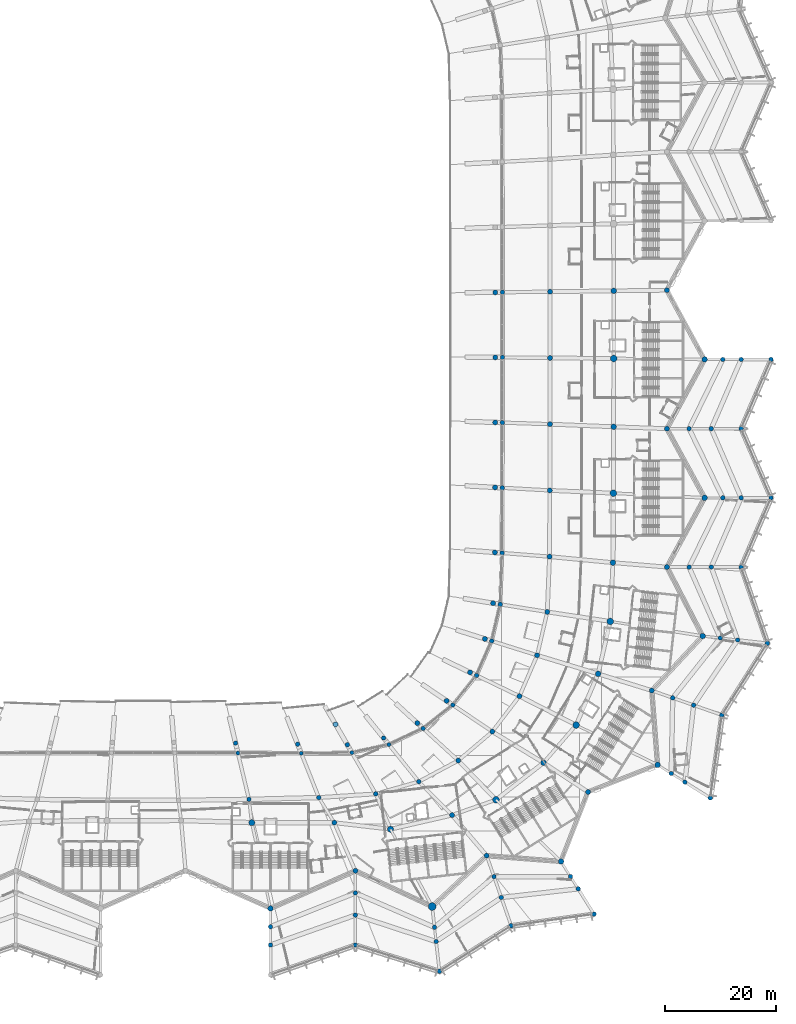
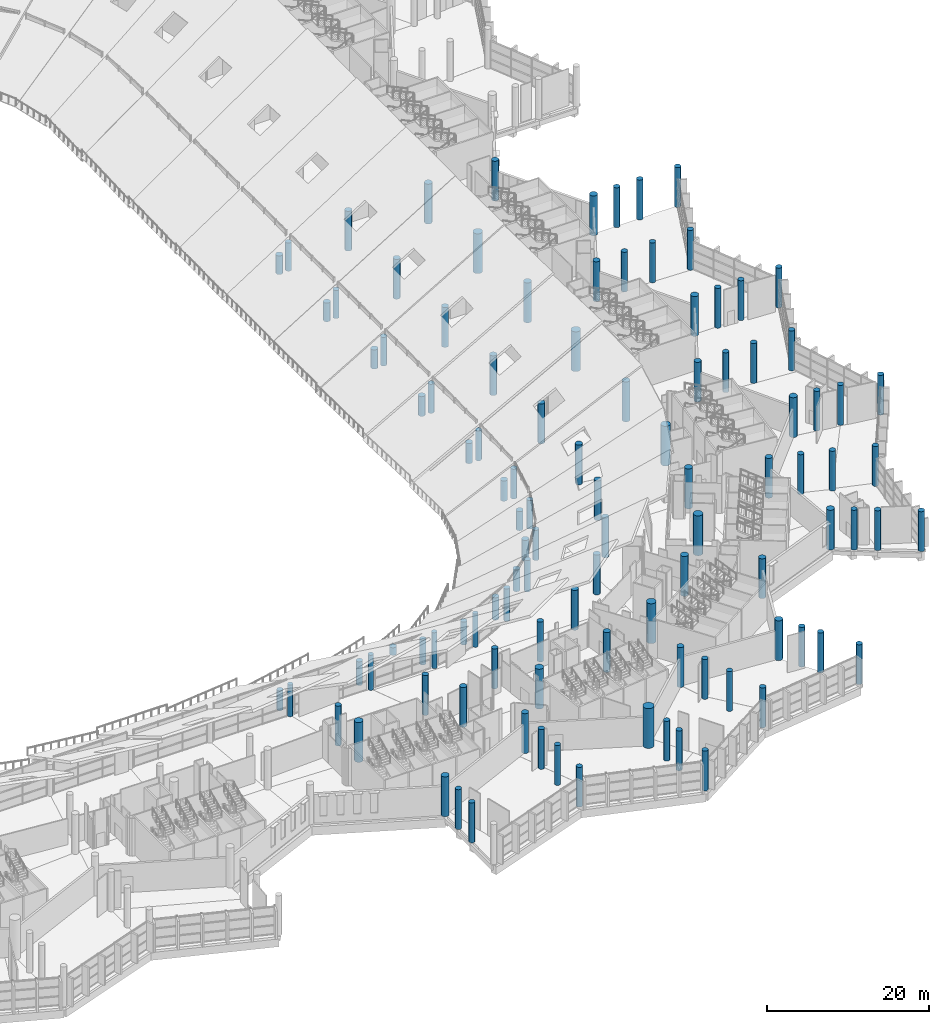
# One storey, part 2 of 249: 106 columns.
"""IFC4 building model written with IfcOpenShell, lengths in metres."""

from ifc_helpers import new_model, si_unit, direction, frame, origin, origin_2d, place, context, subcontext, project, spatial, circle, extrude, material, material_profile, profile_set, type_object, element, save


model = new_model("IFC4")

# Units and contexts
model_context = context("Model", 3, precision=1e-05, world=origin(), true_north=direction((0.0, 1.0)))
body_context = subcontext(model_context, "Body", "Model", "MODEL_VIEW")
ifc_project = project(units=[si_unit("LENGTHUNIT", "METRE"), si_unit("AREAUNIT", "SQUARE_METRE"), si_unit("VOLUMEUNIT", "CUBIC_METRE"), si_unit("PLANEANGLEUNIT", "RADIAN"), si_unit("MASSUNIT", "GRAM", prefix="KILO")], contexts=[model_context])

# Site, building, storey
site_placement = place(None, origin())
site = spatial("IfcSite", under=ifc_project, at=site_placement, CompositionType="ELEMENT")
building_placement = place(site_placement, origin())
building = spatial("IfcBuilding", under=site, at=building_placement, Name="Meseta Stadium", CompositionType="ELEMENT")
storey_placement = place(building_placement, frame((0.0, 0.0, 12.0)))
storey = spatial("IfcBuildingStorey", under=building, at=storey_placement, Name="L02", CompositionType="ELEMENT", Elevation=12.0)

# Columns
ifc_material_1 = material(Name="Concrete C40/50", Category="concrete")
ifc_material_profile_1 = material_profile(ifc_material_1, circle(Radius=0.5, at=origin_2d()), Name="RC D1000")
ifc_profile_set_1 = profile_set([ifc_material_profile_1], Name="Concrete C40/50")
column_type_1 = type_object("IfcColumnType", Name="RC column D1000", PredefinedType="COLUMN", material=ifc_profile_set_1)
for number, where, z_axis, x_axis, name in (
    (1, (101.0517578125, -56.202880859375, 0.0), (0.0, 0.0, 1.0), (1.0, 0.0, 0.0), "Column C10 L02 frame 0 line R"),
    (2, (84.85400390625, -42.948486328125, 0.0), (0.0, 0.0, 1.0), (1.0, 0.0, 0.0), "Column C10 L02 frame 1 line P"),
    (3, (101.39990234375, -31.25, 0.0), (0.0, 0.0, 1.0), (1.0, 0.0, 0.0), "Column C10 L02 frame 2 line R"),
    (4, (84.97314453125, -18.41064453125, 0.0), (0.0, 0.0, 1.0), (1.0, 0.0, 0.0), "Column C10 L02 frame 3 line P"),
    (5, (101.39990234375, -6.25, 0.0), (0.0, 0.0, 1.0), (1.0, 0.0, 0.0), "Column C10 L02 frame 4 line R"),
    (6, (84.9970703125, 6.13720703125, 0.0), (0.0, 0.0, 1.0), (1.0, 0.0, 0.0), "Column C10 L02 frame 5 line P"),
    (7, (23.0, -105.39990234375, 0.0), (0.0, 0.0, 1.0), (1.0, 0.0, 0.0), "Column C10 L02 frame 48 line R"),
    (8, (75.474609375, -96.908447265625, 0.0), (0.0, 0.0, 1.0), (1.0, 0.0, 0.0), "Column C10 L02 frame 52 line R"),
    (9, (72.31201171875, -79.091064453125, 0.0), (0.0, 0.0, 1.0), (1.0, 0.0, 0.0), "Column C10 L02 frame 53 line P"),
    (10, (92.908447265625, -79.474609375, 0.0), (0.0, 0.0, 1.0), (1.0, 0.0, 0.0), "Column C10 L02 frame 54 line R"),
    (11, (82.169189453125, -63.03369140625, 0.0), (0.0, 0.0, 1.0), (1.0, 0.0, 0.0), "Column C10 L02 frame 55 line P"),
):
    element("IfcColumn", number, at=place(storey_placement, frame(where, z_axis=z_axis, x_axis=x_axis)), inside=storey, type_object=column_type_1, Name=name, PredefinedType="COLUMN", context=body_context, shape_type="SweptSolid", body=[
        extrude(circle(Radius=0.5, at=origin_2d()), origin(), (0.0, 0.0, 1.0), 6.0),
    ])
ifc_material_2 = material(Name="Concrete C40/50", Category="concrete")
ifc_material_profile_2 = material_profile(ifc_material_2, circle(Radius=0.550048828125, at=origin_2d()), Name="RC D1100")
ifc_profile_set_2 = profile_set([ifc_material_profile_2], Name="Concrete C40/50")
column_type_2 = type_object("IfcColumnType", Name="RC column D1100", PredefinedType="COLUMN", material=ifc_profile_set_2)
for number, where, z_axis, x_axis, name in (
    (12, (19.62744140625, -89.90380859375, 0.0), (0.0, 0.0, 1.0), (1.0, 0.0, 0.0), "Column C11 L02 frame 48 line P"),
    (13, (44.6826171875, -91.0908203125, 0.0), (0.0, 0.0, 1.0), (1.0, 0.0, 0.0), "Column C11 L02 frame 50 line P"),
):
    element("IfcColumn", number, at=place(storey_placement, frame(where, z_axis=z_axis, x_axis=x_axis)), inside=storey, type_object=column_type_2, Name=name, PredefinedType="COLUMN", context=body_context, shape_type="SweptSolid", body=[
        extrude(circle(Radius=0.550048828125, at=origin_2d()), origin(), (0.0, 0.0, 1.0), 6.0),
    ])
ifc_material_3 = material(Name="Concrete C40/50", Category="concrete")
ifc_material_profile_3 = material_profile(ifc_material_3, circle(Radius=0.60009765625, at=origin_2d()), Name="RC D1200")
ifc_profile_set_3 = profile_set([ifc_material_profile_3], Name="Concrete C40/50")
column_type_3 = type_object("IfcColumnType", Name="RC column D1200", PredefinedType="COLUMN", material=ifc_profile_set_3)
for number, where, z_axis, x_axis, name in (
    (14, (84.36328125, -53.5654296875, 0.0), (0.0, 0.0, 1.0), (1.0, 0.0, 0.0), "Column C12 L02 frame 0 line P"),
    (15, (84.940673828125, -30.404052734375, 0.0), (0.0, 0.0, 1.0), (1.0, 0.0, 0.0), "Column C12 L02 frame 2 line P"),
    (16, (84.99755859375, -6.081298828125, 0.0), (0.0, 0.0, 1.0), (1.0, 0.0, 0.0), "Column C12 L02 frame 4 line P"),
    (17, (63.731201171875, -85.77099609375, 0.0), (0.0, 0.0, 1.0), (1.0, 0.0, 0.0), "Column C12 L02 frame 52 line P"),
    (18, (78.197998046875, -72.27197265625, 0.0), (0.0, 0.0, 1.0), (1.0, 0.0, 0.0), "Column C12 L02 frame 54 line P"),
):
    element("IfcColumn", number, at=place(storey_placement, frame(where, z_axis=z_axis, x_axis=x_axis)), inside=storey, type_object=column_type_3, Name=name, PredefinedType="COLUMN", context=body_context, shape_type="SweptSolid", body=[
        extrude(circle(Radius=0.60009765625, at=origin_2d()), origin(), (0.0, 0.0, 1.0), 6.0),
    ])
ifc_material_4 = material(Name="Concrete C40/50", Category="concrete")
ifc_material_profile_4 = material_profile(ifc_material_4, circle(Radius=0.699951171875, at=origin_2d()), Name="RC D1400")
ifc_profile_set_4 = profile_set([ifc_material_profile_4], Name="Concrete C40/50")
column_type_4 = type_object("IfcColumnType", Name="RC column D1400", PredefinedType="COLUMN", material=ifc_profile_set_4)
column_1_placement = place(storey_placement, frame((52.202880859375, -105.0517578125, 0.0), z_axis=(0.0, 0.0, 1.0), x_axis=(1.0, 0.0, 0.0)))
element("IfcColumn", 19, at=column_1_placement, inside=storey, type_object=column_type_4, Name="Column C14 L02 frame 50 line R", PredefinedType="COLUMN", context=body_context, shape_type="SweptSolid", body=[
    extrude(circle(Radius=0.699951171875, at=origin_2d()), origin(), (0.0, 0.0, 1.0), 6.0),
])
ifc_material_5 = material(Name="Concrete C40/50", Category="concrete")
ifc_material_profile_5 = material_profile(ifc_material_5, circle(Radius=0.35009765625, at=origin_2d()), Name="RC D700")
ifc_profile_set_5 = profile_set([ifc_material_profile_5], Name="Concrete C40/50")
column_type_5 = type_object("IfcColumnType", Name="RC column D700", PredefinedType="COLUMN", material=ifc_profile_set_5)
column_2_placement = place(storey_placement, frame((17.126708984375, -77.33203125, 0.0), z_axis=(0.0, 0.0, 1.0), x_axis=(1.0, 0.0, 0.0)))
element("IfcColumn", 20, at=column_2_placement, inside=storey, type_object=column_type_5, Name="Column C7 L02 frame 48 line D", PredefinedType="COLUMN", context=body_context, shape_type="SweptSolid", body=[
    extrude(circle(Radius=0.35009765625, at=origin_2d()), origin(), (0.0, 0.0, 1.0), 4.7626953125),
])
column_3_placement = place(storey_placement, frame((28.564697265625, -77.38330078125, 0.0), z_axis=(0.0, 0.0, 1.0), x_axis=(1.0, 0.0, 0.0)))
element("IfcColumn", 21, at=column_3_placement, inside=storey, type_object=column_type_5, Name="Column C7 L02 frame 49 line D", PredefinedType="COLUMN", context=body_context, shape_type="SweptSolid", body=[
    extrude(circle(Radius=0.35009765625, at=origin_2d()), origin(), (0.0, 0.0, 1.0), 5.293701171875),
])
column_4_placement = place(storey_placement, frame((37.711669921875, -77.26171875, 0.0), z_axis=(0.0, 0.0, 1.0), x_axis=(1.0, 0.0, 0.0)))
element("IfcColumn", 22, at=column_4_placement, inside=storey, type_object=column_type_5, Name="Column C7 L02 frame 50 line D", PredefinedType="COLUMN", context=body_context, shape_type="SweptSolid", body=[
    extrude(circle(Radius=0.35009765625, at=origin_2d()), origin(), (0.0, 0.0, 1.0), 5.414306640625),
])
column_5_placement = place(storey_placement, frame((44.39013671875, -75.806396484375, 0.0), z_axis=(0.0, 0.0, 1.0), x_axis=(1.0, 0.0, 0.0)))
element("IfcColumn", 23, at=column_5_placement, inside=storey, type_object=column_type_5, Name="Column C7 L02 frame 51 line D", PredefinedType="COLUMN", context=body_context, shape_type="SweptSolid", body=[
    extrude(circle(Radius=0.35009765625, at=origin_2d()), origin(), (0.0, 0.0, 1.0), 5.00537109375),
])
ifc_material_6 = material(Name="Concrete C40/50", Category="concrete")
ifc_material_profile_6 = material_profile(ifc_material_6, circle(Radius=0.39990234375, at=origin_2d()), Name="RC D800")
ifc_profile_set_6 = profile_set([ifc_material_profile_6], Name="Concrete C40/50")
column_type_6 = type_object("IfcColumnType", Name="RC column D800", PredefinedType="COLUMN", material=ifc_profile_set_6)
column_6_placement = place(storey_placement, frame((64.501708984375, -50.479736328125, 0.0), z_axis=(0.0, 0.0, 1.0), x_axis=(1.0, 0.0, 0.0)))
element("IfcColumn", 24, at=column_6_placement, inside=storey, type_object=column_type_6, Name="Column C8 L02 frame 0 line D", PredefinedType="COLUMN", context=body_context, shape_type="SweptSolid", body=[
    extrude(circle(Radius=0.39990234375, at=origin_2d()), origin(), (0.0, 0.0, 1.0), 4.47900390625),
])
column_7_placement = place(storey_placement, frame((64.829833984375, -41.2041015625, 0.0), z_axis=(0.0, 0.0, 1.0), x_axis=(1.0, 0.0, 0.0)))
element("IfcColumn", 25, at=column_7_placement, inside=storey, type_object=column_type_6, Name="Column C8 L02 frame 1 line D", PredefinedType="COLUMN", context=body_context, shape_type="SweptSolid", body=[
    extrude(circle(Radius=0.39990234375, at=origin_2d()), origin(), (0.0, 0.0, 1.0), 4.474609375),
])
column_8_placement = place(storey_placement, frame((64.8642578125, -29.433349609375, 0.0), z_axis=(0.0, 0.0, 1.0), x_axis=(1.0, 0.0, 0.0)))
element("IfcColumn", 26, at=column_8_placement, inside=storey, type_object=column_type_6, Name="Column C8 L02 frame 2 line D", PredefinedType="COLUMN", context=body_context, shape_type="SweptSolid", body=[
    extrude(circle(Radius=0.39990234375, at=origin_2d()), origin(), (0.0, 0.0, 1.0), 4.397705078125),
])
column_9_placement = place(storey_placement, frame((64.886962890625, -17.66064453125, 0.0), z_axis=(0.0, 0.0, 1.0), x_axis=(1.0, 0.0, 0.0)))
element("IfcColumn", 27, at=column_9_placement, inside=storey, type_object=column_type_6, Name="Column C8 L02 frame 3 line D", PredefinedType="COLUMN", context=body_context, shape_type="SweptSolid", body=[
    extrude(circle(Radius=0.39990234375, at=origin_2d()), origin(), (0.0, 0.0, 1.0), 4.32080078125),
])
for number, where, z_axis, x_axis, name in (
    (28, (64.898681640625, -5.886962890625, 0.0), (0.0, 0.0, 1.0), (1.0, 0.0, 0.0), "Column C8 L02 frame 4 line D"),
    (29, (64.898681640625, 5.886962890625, 0.0), (0.0, 0.0, 1.0), (1.0, 0.0, 0.0), "Column C8 L02 frame 5 line D"),
):
    element("IfcColumn", number, at=place(storey_placement, frame(where, z_axis=z_axis, x_axis=x_axis)), inside=storey, type_object=column_type_6, Name=name, PredefinedType="COLUMN", context=body_context, shape_type="SweptSolid", body=[
        extrude(circle(Radius=0.39990234375, at=origin_2d()), origin(), (0.0, 0.0, 1.0), 4.24365234375),
    ])
column_10_placement = place(storey_placement, frame((16.697509765625, -75.529541015625, 0.0), z_axis=(0.0, 0.0, 1.0), x_axis=(1.0, 0.0, 0.0)))
element("IfcColumn", 30, at=column_10_placement, inside=storey, type_object=column_type_6, Name="Column C8 L02 frame 48 line C", PredefinedType="COLUMN", context=body_context, shape_type="SweptSolid", body=[
    extrude(circle(Radius=0.39990234375, at=origin_2d()), origin(), (0.0, 0.0, 1.0), 2.990478515625),
])
column_11_placement = place(storey_placement, frame((19.11865234375, -85.6982421875, 0.0), z_axis=(0.0, 0.0, 1.0), x_axis=(1.0, 0.0, 0.0)))
element("IfcColumn", 31, at=column_11_placement, inside=storey, type_object=column_type_6, Name="Column C8 L02 frame 48 line E", PredefinedType="COLUMN", context=body_context, shape_type="SweptSolid", body=[
    extrude(circle(Radius=0.39990234375, at=origin_2d()), origin(), (0.0, 0.0, 1.0), 6.0),
])
column_12_placement = place(storey_placement, frame((27.910888671875, -75.735595703125, 0.0), z_axis=(0.0, 0.0, 1.0), x_axis=(1.0, 0.0, 0.0)))
element("IfcColumn", 32, at=column_12_placement, inside=storey, type_object=column_type_6, Name="Column C8 L02 frame 49 line C", PredefinedType="COLUMN", context=body_context, shape_type="SweptSolid", body=[
    extrude(circle(Radius=0.39990234375, at=origin_2d()), origin(), (0.0, 0.0, 1.0), 3.5712890625),
])
column_13_placement = place(storey_placement, frame((31.73681640625, -85.376708984375, 0.0), z_axis=(0.0, 0.0, 1.0), x_axis=(1.0, 0.0, 0.0)))
element("IfcColumn", 33, at=column_13_placement, inside=storey, type_object=column_type_6, Name="Column C8 L02 frame 49 line E", PredefinedType="COLUMN", context=body_context, shape_type="SweptSolid", body=[
    extrude(circle(Radius=0.39990234375, at=origin_2d()), origin(), (0.0, 0.0, 1.0), 6.0),
])
column_14_placement = place(storey_placement, frame((36.8857421875, -75.8330078125, 0.0), z_axis=(0.0, 0.0, 1.0), x_axis=(1.0, 0.0, 0.0)))
element("IfcColumn", 34, at=column_14_placement, inside=storey, type_object=column_type_6, Name="Column C8 L02 frame 50 line C", PredefinedType="COLUMN", context=body_context, shape_type="SweptSolid", body=[
    extrude(circle(Radius=0.39990234375, at=origin_2d()), origin(), (0.0, 0.0, 1.0), 3.76806640625),
])
column_15_placement = place(storey_placement, frame((42.015625, -84.707275390625, 0.0), z_axis=(0.0, 0.0, 1.0), x_axis=(1.0, 0.0, 0.0)))
element("IfcColumn", 35, at=column_15_placement, inside=storey, type_object=column_type_6, Name="Column C8 L02 frame 50 line E", PredefinedType="COLUMN", context=body_context, shape_type="SweptSolid", body=[
    extrude(circle(Radius=0.39990234375, at=origin_2d()), origin(), (0.0, 0.0, 1.0), 6.0),
])
column_16_placement = place(storey_placement, frame((43.430419921875, -74.617431640625, 0.0), z_axis=(0.0, 0.0, 1.0), x_axis=(1.0, 0.0, 0.0)))
element("IfcColumn", 36, at=column_16_placement, inside=storey, type_object=column_type_6, Name="Column C8 L02 frame 51 line C", PredefinedType="COLUMN", context=body_context, shape_type="SweptSolid", body=[
    extrude(circle(Radius=0.39990234375, at=origin_2d()), origin(), (0.0, 0.0, 1.0), 3.435791015625),
])
column_17_placement = place(storey_placement, frame((49.791259765625, -82.498779296875, 0.0), z_axis=(0.0, 0.0, 1.0), x_axis=(1.0, 0.0, 0.0)))
element("IfcColumn", 37, at=column_17_placement, inside=storey, type_object=column_type_6, Name="Column C8 L02 frame 51 line E", PredefinedType="COLUMN", context=body_context, shape_type="SweptSolid", body=[
    extrude(circle(Radius=0.39990234375, at=origin_2d()), origin(), (0.0, 0.0, 1.0), 6.0),
])
column_18_placement = place(storey_placement, frame((50.571533203125, -72.888671875, 0.0), z_axis=(0.0, 0.0, 1.0), x_axis=(1.0, 0.0, 0.0)))
element("IfcColumn", 38, at=column_18_placement, inside=storey, type_object=column_type_6, Name="Column C8 L02 frame 52 line D", PredefinedType="COLUMN", context=body_context, shape_type="SweptSolid", body=[
    extrude(circle(Radius=0.39990234375, at=origin_2d()), origin(), (0.0, 0.0, 1.0), 4.888671875),
])
column_19_placement = place(storey_placement, frame((55.940185546875, -68.657958984375, 0.0), z_axis=(0.0, 0.0, 1.0), x_axis=(1.0, 0.0, 0.0)))
element("IfcColumn", 39, at=column_19_placement, inside=storey, type_object=column_type_6, Name="Column C8 L02 frame 53 line D", PredefinedType="COLUMN", context=body_context, shape_type="SweptSolid", body=[
    extrude(circle(Radius=0.39990234375, at=origin_2d()), origin(), (0.0, 0.0, 1.0), 4.729248046875),
])
column_20_placement = place(storey_placement, frame((60.22216796875, -63.33056640625, 0.0), z_axis=(0.0, 0.0, 1.0), x_axis=(1.0, 0.0, 0.0)))
element("IfcColumn", 40, at=column_20_placement, inside=storey, type_object=column_type_6, Name="Column C8 L02 frame 54 line D", PredefinedType="COLUMN", context=body_context, shape_type="SweptSolid", body=[
    extrude(circle(Radius=0.39990234375, at=origin_2d()), origin(), (0.0, 0.0, 1.0), 4.561279296875),
])
column_21_placement = place(storey_placement, frame((62.963623046875, -57.1044921875, 0.0), z_axis=(0.0, 0.0, 1.0), x_axis=(1.0, 0.0, 0.0)))
element("IfcColumn", 41, at=column_21_placement, inside=storey, type_object=column_type_6, Name="Column C8 L02 frame 55 line D", PredefinedType="COLUMN", context=body_context, shape_type="SweptSolid", body=[
    extrude(circle(Radius=0.39990234375, at=origin_2d()), origin(), (0.0, 0.0, 1.0), 4.30517578125),
])
for number, where, z_axis, x_axis, name in (
    (42, (104.2119140625, -56.558837890625, 0.0), (0.0, 0.0, 1.0), (1.0, 0.0, 0.0), "Ring column C8 L02 frame 0 line M"),
    (43, (107.372314453125, -56.9150390625, 0.0), (0.0, 0.0, 1.0), (1.0, 0.0, 0.0), "Ring column C8 L02 frame 0 line Q"),
    (44, (112.73828125, -57.51953125, 0.0), (0.0, 0.0, 1.0), (1.0, 0.0, 0.0), "Ring column C8 L02 frame 0 line O"),
    (45, (98.60009765625, -43.75, 0.0), (0.0, 0.0, 1.0), (1.0, 0.0, 0.0), "Ring column C8 L02 frame 1 line M"),
    (46, (102.60009765625, -43.75, 0.0), (0.0, 0.0, 1.0), (1.0, 0.0, 0.0), "Ring column C8 L02 frame 1 line Q"),
    (47, (108.0, -43.75, 0.0), (0.0, 0.0, 1.0), (1.0, 0.0, 0.0), "Ring column C8 L02 frame 1 line O"),
    (48, (104.699951171875, -31.25, 0.0), (0.0, 0.0, 1.0), (1.0, 0.0, 0.0), "Ring column C8 L02 frame 2 line M"),
    (49, (108.0, -31.25, 0.0), (0.0, 0.0, 1.0), (1.0, 0.0, 0.0), "Ring column C8 L02 frame 2 line Q"),
    (50, (113.39990234375, -31.25, 0.0), (0.0, 0.0, 1.0), (1.0, 0.0, 0.0), "Ring column C8 L02 frame 2 line O"),
    (51, (98.60009765625, -18.75, 0.0), (0.0, 0.0, 1.0), (1.0, 0.0, 0.0), "Ring column C8 L02 frame 3 line M"),
    (52, (102.60009765625, -18.75, 0.0), (0.0, 0.0, 1.0), (1.0, 0.0, 0.0), "Ring column C8 L02 frame 3 line Q"),
    (53, (108.0, -18.75, 0.0), (0.0, 0.0, 1.0), (1.0, 0.0, 0.0), "Ring column C8 L02 frame 3 line O"),
    (54, (104.699951171875, -6.25, 0.0), (0.0, 0.0, 1.0), (1.0, 0.0, 0.0), "Ring column C8 L02 frame 4 line M"),
    (55, (108.0, -6.25, 0.0), (0.0, 0.0, 1.0), (1.0, 0.0, 0.0), "Ring column C8 L02 frame 4 line Q"),
    (56, (113.39990234375, -6.25, 0.0), (0.0, 0.0, 1.0), (1.0, 0.0, 0.0), "Ring column C8 L02 frame 4 line O"),
    (57, (23.0, -108.699951171875, 0.0), (0.0, 0.0, 1.0), (1.0, 0.0, 0.0), "Ring column C8 L02 frame 48 line M"),
    (58, (23.0, -112.0, 0.0), (0.0, 0.0, 1.0), (1.0, 0.0, 0.0), "Ring column C8 L02 frame 48 line Q"),
    (59, (38.333251953125, -102.60009765625, 0.0), (0.0, 0.0, 1.0), (1.0, 0.0, 0.0), "Ring column C8 L02 frame 49 line M"),
    (60, (38.333251953125, -106.60009765625, 0.0), (0.0, 0.0, 1.0), (1.0, 0.0, 0.0), "Ring column C8 L02 frame 49 line Q"),
    (61, (38.333251953125, -112.0, 0.0), (0.0, 0.0, 1.0), (1.0, 0.0, 0.0), "Ring column C8 L02 frame 49 line O"),
    (62, (52.626220703125, -108.80810546875, 0.0), (0.0, 0.0, 1.0), (1.0, 0.0, 0.0), "Ring column C8 L02 frame 50 line M"),
    (63, (52.9150390625, -111.372314453125, 0.0), (0.0, 0.0, 1.0), (1.0, 0.0, 0.0), "Ring column C8 L02 frame 50 line Q"),
    (64, (53.51953125, -116.73828125, 0.0), (0.0, 0.0, 1.0), (1.0, 0.0, 0.0), "Ring column C8 L02 frame 50 line O"),
    (65, (63.372802734375, -99.648193359375, 0.0), (0.0, 0.0, 1.0), (1.0, 0.0, 0.0), "Ring column C8 L02 frame 51 line M"),
    (66, (64.69384765625, -103.423828125, 0.0), (0.0, 0.0, 1.0), (1.0, 0.0, 0.0), "Ring column C8 L02 frame 51 line Q"),
    (67, (66.477294921875, -108.520751953125, 0.0), (0.0, 0.0, 1.0), (1.0, 0.0, 0.0), "Ring column C8 L02 frame 51 line O"),
    (68, (77.187255859375, -99.63427734375, 0.0), (0.0, 0.0, 1.0), (1.0, 0.0, 0.0), "Ring column C8 L02 frame 52 line M"),
    (69, (78.580810546875, -101.851806640625, 0.0), (0.0, 0.0, 1.0), (1.0, 0.0, 0.0), "Ring column C8 L02 frame 52 line Q"),
    (70, (81.45361328125, -106.42431640625, 0.0), (0.0, 0.0, 1.0), (1.0, 0.0, 0.0), "Ring column C8 L02 frame 52 line O"),
    (71, (95.380126953125, -81.027587890625, 0.0), (0.0, 0.0, 1.0), (1.0, 0.0, 0.0), "Ring column C8 L02 frame 54 line M"),
    (72, (97.851806640625, -82.580810546875, 0.0), (0.0, 0.0, 1.0), (1.0, 0.0, 0.0), "Ring column C8 L02 frame 54 line Q"),
    (73, (102.42431640625, -85.45361328125, 0.0), (0.0, 0.0, 1.0), (1.0, 0.0, 0.0), "Ring column C8 L02 frame 54 line O"),
    (74, (95.648193359375, -67.372802734375, 0.0), (0.0, 0.0, 1.0), (1.0, 0.0, 0.0), "Ring column C8 L02 frame 55 line M"),
    (75, (99.423828125, -68.69384765625, 0.0), (0.0, 0.0, 1.0), (1.0, 0.0, 0.0), "Ring column C8 L02 frame 55 line Q"),
    (76, (104.520751953125, -70.477294921875, 0.0), (0.0, 0.0, 1.0), (1.0, 0.0, 0.0), "Ring column C8 L02 frame 55 line O"),
):
    element("IfcColumn", number, at=place(storey_placement, frame(where, z_axis=z_axis, x_axis=x_axis)), inside=storey, type_object=column_type_6, Name=name, PredefinedType="COLUMN", context=body_context, shape_type="SweptSolid", body=[
        extrude(circle(Radius=0.39990234375, at=origin_2d()), origin(), (0.0, 0.0, 1.0), 6.0),
    ])
ifc_material_7 = material(Name="Concrete C40/50", Category="concrete")
ifc_material_profile_7 = material_profile(ifc_material_7, circle(Radius=0.449951171875, at=origin_2d()), Name="RC D900")
ifc_profile_set_7 = profile_set([ifc_material_profile_7], Name="Concrete C40/50")
column_type_7 = type_object("IfcColumnType", Name="RC column D900", PredefinedType="COLUMN", material=ifc_profile_set_7)
column_22_placement = place(storey_placement, frame((63.21826171875, -50.27294921875, 0.0), z_axis=(0.0, 0.0, 1.0), x_axis=(1.0, 0.0, 0.0)))
element("IfcColumn", 77, at=column_22_placement, inside=storey, type_object=column_type_7, Name="Column C9 L02 frame 0 line C", PredefinedType="COLUMN", context=body_context, shape_type="SweptSolid", body=[
    extrude(circle(Radius=0.449951171875, at=origin_2d()), origin(), (0.0, 0.0, 1.0), 3.0498046875),
])
column_23_placement = place(storey_placement, frame((72.9921875, -51.84716796875, 0.0), z_axis=(0.0, 0.0, 1.0), x_axis=(1.0, 0.0, 0.0)))
element("IfcColumn", 78, at=column_23_placement, inside=storey, type_object=column_type_7, Name="Column C9 L02 frame 0 line E", PredefinedType="COLUMN", context=body_context, shape_type="SweptSolid", body=[
    extrude(circle(Radius=0.449951171875, at=origin_2d()), origin(), (0.0, 0.0, 1.0), 6.0),
])
column_24_placement = place(storey_placement, frame((63.53369140625, -41.1044921875, 0.0), z_axis=(0.0, 0.0, 1.0), x_axis=(1.0, 0.0, 0.0)))
element("IfcColumn", 79, at=column_24_placement, inside=storey, type_object=column_type_7, Name="Column C9 L02 frame 1 line C", PredefinedType="COLUMN", context=body_context, shape_type="SweptSolid", body=[
    extrude(circle(Radius=0.449951171875, at=origin_2d()), origin(), (0.0, 0.0, 1.0), 3.044677734375),
])
for number, where, z_axis, x_axis, name in (
    (80, (73.40478515625, -41.8623046875, 0.0), (0.0, 0.0, 1.0), (1.0, 0.0, 0.0), "Column C9 L02 frame 1 line E"),
    (81, (94.60009765625, -43.75, 0.0), (0.0, 0.0, 1.0), (1.0, 0.0, 0.0), "Column C9 L02 frame 1 line R"),
):
    element("IfcColumn", number, at=place(storey_placement, frame(where, z_axis=z_axis, x_axis=x_axis)), inside=storey, type_object=column_type_7, Name=name, PredefinedType="COLUMN", context=body_context, shape_type="SweptSolid", body=[
        extrude(circle(Radius=0.449951171875, at=origin_2d()), origin(), (0.0, 0.0, 1.0), 6.0),
    ])
column_25_placement = place(storey_placement, frame((63.566162109375, -29.362060546875, 0.0), z_axis=(0.0, 0.0, 1.0), x_axis=(1.0, 0.0, 0.0)))
element("IfcColumn", 82, at=column_25_placement, inside=storey, type_object=column_type_7, Name="Column C9 L02 frame 2 line C", PredefinedType="COLUMN", context=body_context, shape_type="SweptSolid", body=[
    extrude(circle(Radius=0.449951171875, at=origin_2d()), origin(), (0.0, 0.0, 1.0), 2.968017578125),
])
column_26_placement = place(storey_placement, frame((73.451171875, -29.904052734375, 0.0), z_axis=(0.0, 0.0, 1.0), x_axis=(1.0, 0.0, 0.0)))
element("IfcColumn", 83, at=column_26_placement, inside=storey, type_object=column_type_7, Name="Column C9 L02 frame 2 line E", PredefinedType="COLUMN", context=body_context, shape_type="SweptSolid", body=[
    extrude(circle(Radius=0.449951171875, at=origin_2d()), origin(), (0.0, 0.0, 1.0), 6.0),
])
column_27_placement = place(storey_placement, frame((63.587890625, -17.617919921875, 0.0), z_axis=(0.0, 0.0, 1.0), x_axis=(1.0, 0.0, 0.0)))
element("IfcColumn", 84, at=column_27_placement, inside=storey, type_object=column_type_7, Name="Column C9 L02 frame 3 line C", PredefinedType="COLUMN", context=body_context, shape_type="SweptSolid", body=[
    extrude(circle(Radius=0.449951171875, at=origin_2d()), origin(), (0.0, 0.0, 1.0), 2.89111328125),
])
for number, where, z_axis, x_axis, name in (
    (85, (73.482421875, -17.943603515625, 0.0), (0.0, 0.0, 1.0), (1.0, 0.0, 0.0), "Column C9 L02 frame 3 line E"),
    (86, (94.60009765625, -18.75, 0.0), (0.0, 0.0, 1.0), (1.0, 0.0, 0.0), "Column C9 L02 frame 3 line R"),
):
    element("IfcColumn", number, at=place(storey_placement, frame(where, z_axis=z_axis, x_axis=x_axis)), inside=storey, type_object=column_type_7, Name=name, PredefinedType="COLUMN", context=body_context, shape_type="SweptSolid", body=[
        extrude(circle(Radius=0.449951171875, at=origin_2d()), origin(), (0.0, 0.0, 1.0), 6.0),
    ])
column_28_placement = place(storey_placement, frame((63.5986328125, -5.872802734375, 0.0), z_axis=(0.0, 0.0, 1.0), x_axis=(1.0, 0.0, 0.0)))
element("IfcColumn", 87, at=column_28_placement, inside=storey, type_object=column_type_7, Name="Column C9 L02 frame 4 line C", PredefinedType="COLUMN", context=body_context, shape_type="SweptSolid", body=[
    extrude(circle(Radius=0.449951171875, at=origin_2d()), origin(), (0.0, 0.0, 1.0), 2.81396484375),
])
column_29_placement = place(storey_placement, frame((73.498046875, -5.9814453125, 0.0), z_axis=(0.0, 0.0, 1.0), x_axis=(1.0, 0.0, 0.0)))
element("IfcColumn", 88, at=column_29_placement, inside=storey, type_object=column_type_7, Name="Column C9 L02 frame 4 line E", PredefinedType="COLUMN", context=body_context, shape_type="SweptSolid", body=[
    extrude(circle(Radius=0.449951171875, at=origin_2d()), origin(), (0.0, 0.0, 1.0), 6.0),
])
column_30_placement = place(storey_placement, frame((63.5986328125, 5.872802734375, 0.0), z_axis=(0.0, 0.0, 1.0), x_axis=(1.0, 0.0, 0.0)))
element("IfcColumn", 89, at=column_30_placement, inside=storey, type_object=column_type_7, Name="Column C9 L02 frame 5 line C", PredefinedType="COLUMN", context=body_context, shape_type="SweptSolid", body=[
    extrude(circle(Radius=0.449951171875, at=origin_2d()), origin(), (0.0, 0.0, 1.0), 2.81396484375),
])
for number, where, z_axis, x_axis, name in (
    (90, (73.498046875, 5.9814453125, 0.0), (0.0, 0.0, 1.0), (1.0, 0.0, 0.0), "Column C9 L02 frame 5 line E"),
    (91, (94.60009765625, 6.25, 0.0), (0.0, 0.0, 1.0), (1.0, 0.0, 0.0), "Column C9 L02 frame 5 line R"),
    (92, (34.53076171875, -89.911865234375, 0.0), (0.0, 0.0, 1.0), (1.0, 0.0, 0.0), "Column C9 L02 frame 49 line P"),
    (93, (38.333251953125, -98.60009765625, 0.0), (0.0, 0.0, 1.0), (1.0, 0.0, 0.0), "Column C9 L02 frame 49 line R"),
):
    element("IfcColumn", number, at=place(storey_placement, frame(where, z_axis=z_axis, x_axis=x_axis)), inside=storey, type_object=column_type_7, Name=name, PredefinedType="COLUMN", context=body_context, shape_type="SweptSolid", body=[
        extrude(circle(Radius=0.449951171875, at=origin_2d()), origin(), (0.0, 0.0, 1.0), 6.0),
    ])
column_31_placement = place(storey_placement, frame((34.7607421875, -72.15625, 0.0), z_axis=(0.0, 0.0, 1.0), x_axis=(1.0, 0.0, 0.0)))
element("IfcColumn", 94, at=column_31_placement, inside=storey, type_object=column_type_7, Name="Column C9 L02 frame 50 line U", PredefinedType="COLUMN", context=body_context, shape_type="SweptSolid", body=[
    extrude(circle(Radius=0.449951171875, at=origin_2d()), origin(), (0.0, 0.0, 1.0), 1.151611328125),
])
for number, where, z_axis, x_axis, name in (
    (95, (55.799560546875, -88.541748046875, 0.0), (0.0, 0.0, 1.0), (1.0, 0.0, 0.0), "Column C9 L02 frame 51 line P"),
    (96, (62.051513671875, -95.872802734375, 0.0), (0.0, 0.0, 1.0), (1.0, 0.0, 0.0), "Column C9 L02 frame 51 line R"),
):
    element("IfcColumn", number, at=place(storey_placement, frame(where, z_axis=z_axis, x_axis=x_axis)), inside=storey, type_object=column_type_7, Name=name, PredefinedType="COLUMN", context=body_context, shape_type="SweptSolid", body=[
        extrude(circle(Radius=0.449951171875, at=origin_2d()), origin(), (0.0, 0.0, 1.0), 6.0),
    ])
column_32_placement = place(storey_placement, frame((49.518310546875, -71.924560546875, 0.0), z_axis=(0.0, 0.0, 1.0), x_axis=(1.0, 0.0, 0.0)))
element("IfcColumn", 97, at=column_32_placement, inside=storey, type_object=column_type_7, Name="Column C9 L02 frame 52 line C", PredefinedType="COLUMN", context=body_context, shape_type="SweptSolid", body=[
    extrude(circle(Radius=0.449951171875, at=origin_2d()), origin(), (0.0, 0.0, 1.0), 3.381103515625),
])
column_33_placement = place(storey_placement, frame((56.9150390625, -78.69580078125, 0.0), z_axis=(0.0, 0.0, 1.0), x_axis=(1.0, 0.0, 0.0)))
element("IfcColumn", 98, at=column_33_placement, inside=storey, type_object=column_type_7, Name="Column C9 L02 frame 52 line E", PredefinedType="COLUMN", context=body_context, shape_type="SweptSolid", body=[
    extrude(circle(Radius=0.449951171875, at=origin_2d()), origin(), (0.0, 0.0, 1.0), 6.0),
])
column_34_placement = place(storey_placement, frame((54.819580078125, -67.901611328125, 0.0), z_axis=(0.0, 0.0, 1.0), x_axis=(1.0, 0.0, 0.0)))
element("IfcColumn", 99, at=column_34_placement, inside=storey, type_object=column_type_7, Name="Column C9 L02 frame 53 line C", PredefinedType="COLUMN", context=body_context, shape_type="SweptSolid", body=[
    extrude(circle(Radius=0.449951171875, at=origin_2d()), origin(), (0.0, 0.0, 1.0), 3.268798828125),
])
for number, where, z_axis, x_axis, name in (
    (100, (63.068115234375, -73.469970703125, 0.0), (0.0, 0.0, 1.0), (1.0, 0.0, 0.0), "Column C9 L02 frame 53 line E"),
    (101, (80.365478515625, -84.365478515625, 0.0), (0.0, 0.0, 1.0), (1.0, 0.0, 0.0), "Column C9 L02 frame 53 line R"),
):
    element("IfcColumn", number, at=place(storey_placement, frame(where, z_axis=z_axis, x_axis=x_axis)), inside=storey, type_object=column_type_7, Name=name, PredefinedType="COLUMN", context=body_context, shape_type="SweptSolid", body=[
        extrude(circle(Radius=0.449951171875, at=origin_2d()), origin(), (0.0, 0.0, 1.0), 6.0),
    ])
column_35_placement = place(storey_placement, frame((59.049072265625, -62.766357421875, 0.0), z_axis=(0.0, 0.0, 1.0), x_axis=(1.0, 0.0, 0.0)))
element("IfcColumn", 102, at=column_35_placement, inside=storey, type_object=column_type_7, Name="Column C9 L02 frame 54 line C", PredefinedType="COLUMN", context=body_context, shape_type="SweptSolid", body=[
    extrude(circle(Radius=0.449951171875, at=origin_2d()), origin(), (0.0, 0.0, 1.0), 3.13232421875),
])
column_36_placement = place(storey_placement, frame((67.972412109375, -67.057861328125, 0.0), z_axis=(0.0, 0.0, 1.0), x_axis=(1.0, 0.0, 0.0)))
element("IfcColumn", 103, at=column_36_placement, inside=storey, type_object=column_type_7, Name="Column C9 L02 frame 54 line E", PredefinedType="COLUMN", context=body_context, shape_type="SweptSolid", body=[
    extrude(circle(Radius=0.449951171875, at=origin_2d()), origin(), (0.0, 0.0, 1.0), 6.0),
])
column_37_placement = place(storey_placement, frame((61.72314453125, -56.715576171875, 0.0), z_axis=(0.0, 0.0, 1.0), x_axis=(1.0, 0.0, 0.0)))
element("IfcColumn", 104, at=column_37_placement, inside=storey, type_object=column_type_7, Name="Column C9 L02 frame 55 line C", PredefinedType="COLUMN", context=body_context, shape_type="SweptSolid", body=[
    extrude(circle(Radius=0.449951171875, at=origin_2d()), origin(), (0.0, 0.0, 1.0), 2.877197265625),
])
for number, where, z_axis, x_axis, name in (
    (105, (71.169677734375, -59.67724609375, 0.0), (0.0, 0.0, 1.0), (1.0, 0.0, 0.0), "Column C9 L02 frame 55 line E"),
    (106, (91.872802734375, -66.051513671875, 0.0), (0.0, 0.0, 1.0), (1.0, 0.0, 0.0), "Column C9 L02 frame 55 line R"),
):
    element("IfcColumn", number, at=place(storey_placement, frame(where, z_axis=z_axis, x_axis=x_axis)), inside=storey, type_object=column_type_7, Name=name, PredefinedType="COLUMN", context=body_context, shape_type="SweptSolid", body=[
        extrude(circle(Radius=0.449951171875, at=origin_2d()), origin(), (0.0, 0.0, 1.0), 6.0),
    ])

save(model, "model.ifc")
